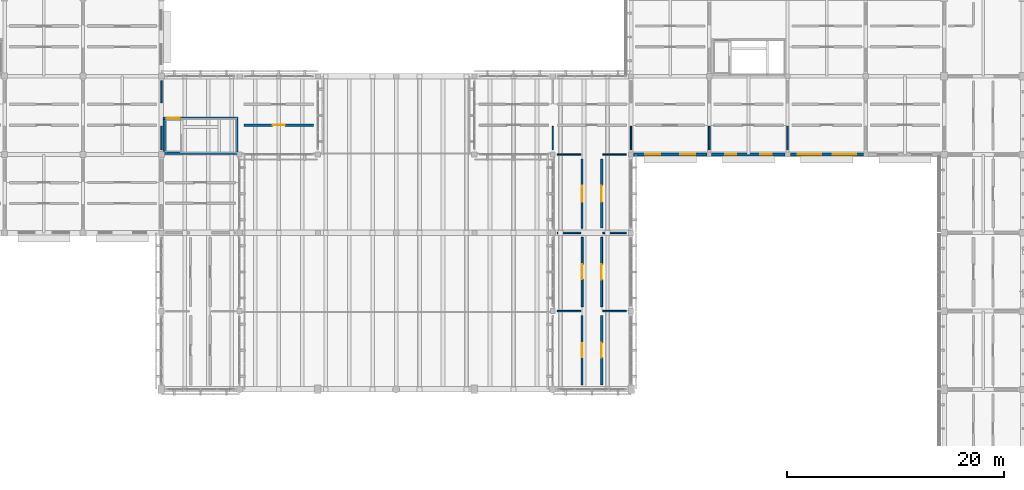
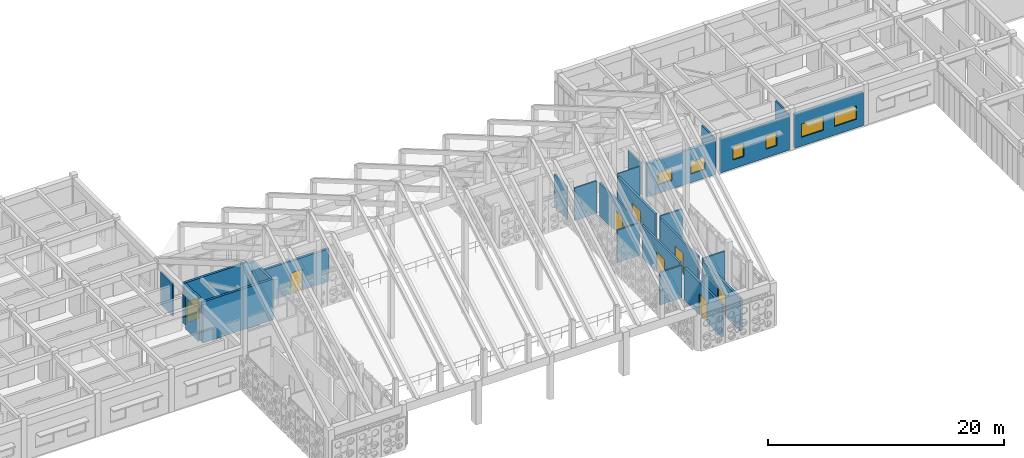
# One storey, part 130 of 171: 26 walls, 8 doors, 6 windows, 14 openings.
"""IFC4 building model written with IfcOpenShell, lengths in metres."""

from ifc_helpers import new_model, si_unit, direction, frame, frame_2d, origin, place, context, subcontext, project, spatial, rectangle, extrude, material, layer, layer_set, type_object, element, fill, save


model = new_model("IFC4")

# Units and contexts
model_context = context("Model", 3, precision=1e-05, world=origin(), true_north=direction((0.0, 1.0)))
body_context = subcontext(model_context, "Body", "Model", "MODEL_VIEW")
ifc_project = project(units=[si_unit("LENGTHUNIT", "METRE"), si_unit("AREAUNIT", "SQUARE_METRE"), si_unit("VOLUMEUNIT", "CUBIC_METRE"), si_unit("PLANEANGLEUNIT", "RADIAN"), si_unit("MASSUNIT", "GRAM", prefix="KILO")], contexts=[model_context])

# Site, building, storey
site_placement = place(None, origin())
site = spatial("IfcSite", under=ifc_project, at=site_placement, CompositionType="ELEMENT")
building_placement = place(site_placement, origin())
building = spatial("IfcBuilding", under=site, at=building_placement, Name="Aldebral Square Health Centre", CompositionType="ELEMENT")
storey_placement = place(building_placement, frame((0.0, 0.0, 4.5)))
storey = spatial("IfcBuildingStorey", under=building, at=storey_placement, Name="L01", CompositionType="ELEMENT", Elevation=4.5)

# Wall, openings, windows
ifc_material_1 = material(Name="Ochre mineral-rendered concrete C35/45 court wall", Category="concrete")
ifc_layer_1 = layer(ifc_material_1, 0.280029296875, Name="Ochre mineral-rendered concrete C35/45 court wall", Category="concrete")
ifc_layer_set_1 = layer_set([ifc_layer_1], Name="Ochre mineral-rendered concrete C35/45 court wall")
wall_type_1 = type_object("IfcWallType", Name="EW-OCH-280", PredefinedType="STANDARD", material=ifc_layer_set_1)
wall_1_placement = place(storey_placement, frame((108.25, 93.60009765625, 0.0), z_axis=(0.0, 0.0, 1.0), x_axis=(1.0, 0.0, 0.0)))
wall_1 = element("IfcWall", 1, at=wall_1_placement, inside=storey, type_object=wall_type_1, Name="L01 V5 exterior wall L01-V5-15-13-S", PredefinedType="STANDARD", context=body_context, shape_type="SweptSolid", body=[
    extrude(rectangle(XDim=6.72509765625, YDim=0.280029296875, at=frame_2d((3.362548828125, 0.0))), origin(), (0.0, 0.0, 1.0), 3.469970703125),
])
opening_1_placement = place(wall_1_placement, frame((1.074951171875, 0.0, 0.89990234375)))
opening_1 = element("IfcOpeningElement", 2, at=opening_1_placement, cuts=wall_1, Name="Opening W04", PredefinedType="OPENING", context=body_context, shape_type="SweptSolid", body=[
    extrude(rectangle(XDim=1.35009765625, YDim=1.25, at=frame_2d((0.675048828125, 0.625))), frame((0.0, 0.14990234375, 0.0), z_axis=(0.0, -1.0, 0.0), x_axis=(1.0, 0.0, 0.0)), (0.0, 0.0, 1.0), 0.300048828125),
])
opening_2_placement = place(wall_1_placement, frame((4.300048828125, 0.0, 0.89990234375)))
opening_2 = element("IfcOpeningElement", 3, at=opening_2_placement, cuts=wall_1, Name="Opening W04", PredefinedType="OPENING", context=body_context, shape_type="SweptSolid", body=[
    extrude(rectangle(XDim=1.35009765625, YDim=1.25, at=frame_2d((0.675048828125, 0.625))), frame((0.0, 0.14990234375, 0.0), z_axis=(0.0, -1.0, 0.0), x_axis=(1.0, 0.0, 0.0)), (0.0, 0.0, 1.0), 0.300048828125),
])
ifc_material_2 = material(Name="Thermally broken aluminium and low-E glass", Category="aluminium")
window_type_1 = type_object("IfcWindowType", Name="WIN-W04", PartitioningType="SINGLE_PANEL", PredefinedType="WINDOW", material=ifc_material_2)
window_1_placement = place(opening_1_placement, origin())
window_1 = element("IfcWindow", 4, at=window_1_placement, inside=storey, type_object=window_type_1, Name="L01 clinical window L01-V5-15-13-S.1", OverallHeight=1.25, OverallWidth=1.35009765625, PartitioningType="SINGLE_PANEL", PredefinedType="WINDOW", context=body_context, shape_type="SweptSolid", body=[
    extrude(rectangle(XDim=1.35009765625, YDim=1.25, at=frame_2d((0.675048828125, 0.625))), frame((0.0, 0.030029296875, 0.0), z_axis=(0.0, -1.0, 0.0), x_axis=(1.0, 0.0, 0.0)), (0.0, 0.0, 1.0), 0.06005859375),
])
fill(opening_1, window_1)
window_2_placement = place(opening_2_placement, origin())
window_2 = element("IfcWindow", 5, at=window_2_placement, inside=storey, type_object=window_type_1, Name="L01 clinical window L01-V5-15-13-S.2", OverallHeight=1.25, OverallWidth=1.35009765625, PartitioningType="SINGLE_PANEL", PredefinedType="WINDOW", context=body_context, shape_type="SweptSolid", body=[
    extrude(rectangle(XDim=1.35009765625, YDim=1.25, at=frame_2d((0.675048828125, 0.625))), frame((0.0, 0.030029296875, 0.0), z_axis=(0.0, -1.0, 0.0), x_axis=(1.0, 0.0, 0.0)), (0.0, 0.0, 1.0), 0.06005859375),
])
fill(opening_2, window_2)

wall_2_placement = place(storey_placement, frame((115.425048828125, 93.60009765625, 0.0), z_axis=(0.0, 0.0, 1.0), x_axis=(1.0, 0.0, 0.0)))
wall_2 = element("IfcWall", 6, at=wall_2_placement, inside=storey, type_object=wall_type_1, Name="L01 V5 exterior wall L01-V5-16-13-S", PredefinedType="STANDARD", context=body_context, shape_type="SweptSolid", body=[
    extrude(rectangle(XDim=6.724853515625, YDim=0.280029296875, at=frame_2d((3.3623046875, 0.0))), origin(), (0.0, 0.0, 1.0), 3.469970703125),
])
opening_3_placement = place(wall_2_placement, frame((1.22509765625, 0.0, 0.89990234375)))
opening_3 = element("IfcOpeningElement", 7, at=opening_3_placement, cuts=wall_2, Name="Opening W11", PredefinedType="OPENING", context=body_context, shape_type="SweptSolid", body=[
    extrude(rectangle(XDim=1.050048828125, YDim=1.3798828125, at=frame_2d((0.52490234375, 0.68994140625))), frame((0.0, 0.14990234375, 0.0), z_axis=(0.0, -1.0, 0.0), x_axis=(1.0, 0.0, 0.0)), (0.0, 0.0, 1.0), 0.300048828125),
])
opening_4_placement = place(wall_2_placement, frame((4.449951171875, 0.0, 0.89990234375)))
opening_4 = element("IfcOpeningElement", 8, at=opening_4_placement, cuts=wall_2, Name="Opening W11", PredefinedType="OPENING", context=body_context, shape_type="SweptSolid", body=[
    extrude(rectangle(XDim=1.050048828125, YDim=1.3798828125, at=frame_2d((0.52490234375, 0.68994140625))), frame((0.0, 0.14990234375, 0.0), z_axis=(0.0, -1.0, 0.0), x_axis=(1.0, 0.0, 0.0)), (0.0, 0.0, 1.0), 0.300048828125),
])
window_type_2 = type_object("IfcWindowType", Name="WIN-W11", PartitioningType="SINGLE_PANEL", PredefinedType="WINDOW", material=ifc_material_2)
window_3_placement = place(opening_3_placement, origin())
window_3 = element("IfcWindow", 9, at=window_3_placement, inside=storey, type_object=window_type_2, Name="L01 clinical window L01-V5-16-13-S.1", OverallHeight=1.3798828125, OverallWidth=1.050048828125, PartitioningType="SINGLE_PANEL", PredefinedType="WINDOW", context=body_context, shape_type="SweptSolid", body=[
    extrude(rectangle(XDim=1.050048828125, YDim=1.3798828125, at=frame_2d((0.52490234375, 0.68994140625))), frame((0.0, 0.030029296875, 0.0), z_axis=(0.0, -1.0, 0.0), x_axis=(1.0, 0.0, 0.0)), (0.0, 0.0, 1.0), 0.06005859375),
])
fill(opening_3, window_3)
window_4_placement = place(opening_4_placement, origin())
window_4 = element("IfcWindow", 10, at=window_4_placement, inside=storey, type_object=window_type_2, Name="L01 clinical window L01-V5-16-13-S.2", OverallHeight=1.3798828125, OverallWidth=1.050048828125, PartitioningType="SINGLE_PANEL", PredefinedType="WINDOW", context=body_context, shape_type="SweptSolid", body=[
    extrude(rectangle(XDim=1.050048828125, YDim=1.3798828125, at=frame_2d((0.52490234375, 0.68994140625))), frame((0.0, 0.030029296875, 0.0), z_axis=(0.0, -1.0, 0.0), x_axis=(1.0, 0.0, 0.0)), (0.0, 0.0, 1.0), 0.06005859375),
])
fill(opening_4, window_4)

wall_3_placement = place(storey_placement, frame((122.64990234375, 93.60009765625, 0.0), z_axis=(0.0, 0.0, 1.0), x_axis=(1.0, 0.0, 0.0)))
wall_3 = element("IfcWall", 11, at=wall_3_placement, inside=storey, type_object=wall_type_1, Name="L01 V5 exterior wall L01-V5-17-13-S", PredefinedType="STANDARD", context=body_context, shape_type="SweptSolid", body=[
    extrude(rectangle(XDim=6.72509765625, YDim=0.280029296875, at=frame_2d((3.362548828125, 0.0))), origin(), (0.0, 0.0, 1.0), 3.469970703125),
])
opening_5_placement = place(wall_3_placement, frame((0.675048828125, 0.0, 0.89990234375)))
opening_5 = element("IfcOpeningElement", 12, at=opening_5_placement, cuts=wall_3, Name="Opening W18", PredefinedType="OPENING", context=body_context, shape_type="SweptSolid", body=[
    extrude(rectangle(XDim=2.14990234375, YDim=1.3798828125, at=frame_2d((1.074951171875, 0.68994140625))), frame((0.0, 0.14990234375, 0.0), z_axis=(0.0, -1.0, 0.0), x_axis=(1.0, 0.0, 0.0)), (0.0, 0.0, 1.0), 0.300048828125),
])
opening_6_placement = place(wall_3_placement, frame((3.89990234375, 0.0, 0.89990234375)))
opening_6 = element("IfcOpeningElement", 13, at=opening_6_placement, cuts=wall_3, Name="Opening W18", PredefinedType="OPENING", context=body_context, shape_type="SweptSolid", body=[
    extrude(rectangle(XDim=2.14990234375, YDim=1.3798828125, at=frame_2d((1.074951171875, 0.68994140625))), frame((0.0, 0.14990234375, 0.0), z_axis=(0.0, -1.0, 0.0), x_axis=(1.0, 0.0, 0.0)), (0.0, 0.0, 1.0), 0.300048828125),
])
window_type_3 = type_object("IfcWindowType", Name="WIN-W18", PartitioningType="SINGLE_PANEL", PredefinedType="WINDOW", material=ifc_material_2)
window_5_placement = place(opening_5_placement, origin())
window_5 = element("IfcWindow", 14, at=window_5_placement, inside=storey, type_object=window_type_3, Name="L01 clinical window L01-V5-17-13-S.1", OverallHeight=1.3798828125, OverallWidth=2.14990234375, PartitioningType="SINGLE_PANEL", PredefinedType="WINDOW", context=body_context, shape_type="SweptSolid", body=[
    extrude(rectangle(XDim=2.14990234375, YDim=1.3798828125, at=frame_2d((1.074951171875, 0.68994140625))), frame((0.0, 0.030029296875, 0.0), z_axis=(0.0, -1.0, 0.0), x_axis=(1.0, 0.0, 0.0)), (0.0, 0.0, 1.0), 0.06005859375),
])
fill(opening_5, window_5)
window_6_placement = place(opening_6_placement, origin())
window_6 = element("IfcWindow", 15, at=window_6_placement, inside=storey, type_object=window_type_3, Name="L01 clinical window L01-V5-17-13-S.2", OverallHeight=1.3798828125, OverallWidth=2.14990234375, PartitioningType="SINGLE_PANEL", PredefinedType="WINDOW", context=body_context, shape_type="SweptSolid", body=[
    extrude(rectangle(XDim=2.14990234375, YDim=1.3798828125, at=frame_2d((1.074951171875, 0.68994140625))), frame((0.0, 0.030029296875, 0.0), z_axis=(0.0, -1.0, 0.0), x_axis=(1.0, 0.0, 0.0)), (0.0, 0.0, 1.0), 0.06005859375),
])
fill(opening_6, window_6)

# Wall, opening, door
ifc_material_3 = material(Name="Concrete C35/45 compartment wall", Category="concrete")
ifc_layer_2 = layer(ifc_material_3, 0.199951171875, Name="Concrete C35/45 compartment wall", Category="concrete")
ifc_layer_set_2 = layer_set([ifc_layer_2], Name="Concrete C35/45 compartment wall")
wall_type_2 = type_object("IfcWallType", Name="IW-CMP-200", PredefinedType="SOLIDWALL", material=ifc_layer_set_2)
wall_4_placement = place(storey_placement, frame((103.5, 72.419921875, 0.0), z_axis=(0.0, 0.0, 1.0), x_axis=(0.0, 1.0, 0.0)))
wall_4 = element("IfcWall", 16, at=wall_4_placement, inside=storey, type_object=wall_type_2, Name="L01 Outpatient Pharmacy Counseling 15.11W corridor wall", PredefinedType="SOLIDWALL", context=body_context, shape_type="SweptSolid", body=[
    extrude(rectangle(XDim=6.360107421875, YDim=0.199951171875, at=frame_2d((3.18017578125, 0.0))), origin(), (0.0, 0.0, 1.0), 3.360107421875),
])
opening_7_placement = place(wall_4_placement, frame((2.530029296875, 0.0, 0.0)))
opening_7 = element("IfcOpeningElement", 17, at=opening_7_placement, cuts=wall_4, Name="Opening D-0195", PredefinedType="OPENING", context=body_context, shape_type="SweptSolid", body=[
    extrude(rectangle(XDim=1.300048828125, YDim=2.139892578125, at=frame_2d((0.64990234375, 1.06982421875))), frame((0.0, 0.10986328125, 0.0), z_axis=(0.0, -1.0, 0.0), x_axis=(1.0, 0.0, 0.0)), (0.0, 0.0, 1.0), 0.219970703125),
])
ifc_material_4 = material(Name="Clinical suite fire door")
door_type_1 = type_object("IfcDoorType", Name="ID-EXD-42", OperationType="NOTDEFINED", PredefinedType="DOOR", material=ifc_material_4)
door_1_placement = place(opening_7_placement, origin())
door_1 = element("IfcDoor", 18, at=door_1_placement, inside=storey, type_object=door_type_1, Name="L01 Outpatient Pharmacy Counseling 15.11W door", OperationType="SINGLE_SWING_RIGHT", OverallHeight=2.139892578125, OverallWidth=1.300048828125, PredefinedType="DOOR", context=body_context, shape_type="SweptSolid", body=[
    extrude(rectangle(XDim=1.300048828125, YDim=2.139892578125, at=frame_2d((0.64990234375, 1.06982421875))), frame((0.0, 0.02490234375, 0.0), z_axis=(0.0, -1.0, 0.0), x_axis=(1.0, 0.0, 0.0)), (0.0, 0.0, 1.0), 0.050048828125),
])
fill(opening_7, door_1)

ifc_layer_3 = layer(ifc_material_3, 0.219970703125, Name="Concrete C35/45 compartment wall", Category="concrete")
ifc_layer_set_3 = layer_set([ifc_layer_3], Name="Concrete C35/45 compartment wall")
wall_type_3 = type_object("IfcWallType", Name="IW-CMP-220", PredefinedType="SOLIDWALL", material=ifc_layer_set_3)
wall_5_placement = place(storey_placement, frame((72.419921875, 96.300048828125, 0.0), z_axis=(0.0, 0.0, 1.0), x_axis=(1.0, 0.0, 0.0)))
wall_5 = element("IfcWall", 19, at=wall_5_placement, inside=storey, type_object=wall_type_3, Name="L01 Outpatient Pharmacy Counseling 11.14S corridor wall", PredefinedType="SOLIDWALL", context=body_context, shape_type="SweptSolid", body=[
    extrude(rectangle(XDim=6.360107421875, YDim=0.219970703125, at=frame_2d((3.18017578125, 0.0))), origin(), (0.0, 0.0, 1.0), 3.360107421875),
])
opening_8_placement = place(wall_5_placement, frame((2.610107421875, 0.0, 0.0)))
opening_8 = element("IfcOpeningElement", 20, at=opening_8_placement, cuts=wall_5, Name="Opening D-0191", PredefinedType="OPENING", context=body_context, shape_type="SweptSolid", body=[
    extrude(rectangle(XDim=1.139892578125, YDim=2.139892578125, at=frame_2d((0.56982421875, 1.06982421875))), frame((0.0, 0.1201171875, 0.0), z_axis=(0.0, -1.0, 0.0), x_axis=(1.0, 0.0, 0.0)), (0.0, 0.0, 1.0), 0.239990234375),
])
door_type_2 = type_object("IfcDoorType", Name="ID-EXD-38", OperationType="NOTDEFINED", PredefinedType="DOOR", material=ifc_material_4)
door_2_placement = place(opening_8_placement, origin())
door_2 = element("IfcDoor", 21, at=door_2_placement, inside=storey, type_object=door_type_2, Name="L01 Outpatient Pharmacy Counseling 11.14S door", OperationType="SINGLE_SWING_RIGHT", OverallHeight=2.139892578125, OverallWidth=1.139892578125, PredefinedType="DOOR", context=body_context, shape_type="SweptSolid", body=[
    extrude(rectangle(XDim=1.139892578125, YDim=2.139892578125, at=frame_2d((0.56982421875, 1.06982421875))), frame((0.0, 0.02490234375, 0.0), z_axis=(0.0, -1.0, 0.0), x_axis=(1.0, 0.0, 0.0)), (0.0, 0.0, 1.0), 0.050048828125),
])
fill(opening_8, door_2)

ifc_material_5 = material(Name="Fire-rated acoustic gypsum partition")
ifc_layer_4 = layer(ifc_material_5, 0.1650390625, Name="Fire-rated acoustic gypsum partition")
ifc_layer_set_4 = layer_set([ifc_layer_4], Name="Fire-rated acoustic gypsum partition")
wall_type_4 = type_object("IfcWallType", Name="IW-COR-165", PredefinedType="PARTITIONING", material=ifc_layer_set_4)
wall_6_placement = place(storey_placement, frame((103.5, 86.820068359375, 0.0), z_axis=(0.0, 0.0, 1.0), x_axis=(0.0, 1.0, 0.0)))
wall_6 = element("IfcWall", 22, at=wall_6_placement, inside=storey, type_object=wall_type_4, Name="L01 Outpatient Pharmacy Counseling 15.13W corridor wall", PredefinedType="PARTITIONING", context=body_context, shape_type="SweptSolid", body=[
    extrude(rectangle(XDim=6.35986328125, YDim=0.1650390625, at=frame_2d((3.179931640625, 0.0))), origin(), (0.0, 0.0, 1.0), 3.360107421875),
])
opening_9_placement = place(wall_6_placement, frame((2.449951171875, 0.0, 0.0)))
opening_9 = element("IfcOpeningElement", 23, at=opening_9_placement, cuts=wall_6, Name="Opening D-0199", PredefinedType="OPENING", context=body_context, shape_type="SweptSolid", body=[
    extrude(rectangle(XDim=1.4599609375, YDim=2.139892578125, at=frame_2d((0.72998046875, 1.06982421875))), frame((0.0, 0.092529296875, 0.0), z_axis=(0.0, -1.0, 0.0), x_axis=(1.0, 0.0, 0.0)), (0.0, 0.0, 1.0), 0.18505859375),
])
door_type_3 = type_object("IfcDoorType", Name="ID-EXD-46", OperationType="NOTDEFINED", PredefinedType="DOOR", material=ifc_material_4)
door_3_placement = place(opening_9_placement, origin())
door_3 = element("IfcDoor", 24, at=door_3_placement, inside=storey, type_object=door_type_3, Name="L01 Outpatient Pharmacy Counseling 15.13W door", OperationType="SINGLE_SWING_RIGHT", OverallHeight=2.139892578125, OverallWidth=1.4599609375, PredefinedType="DOOR", context=body_context, shape_type="SweptSolid", body=[
    extrude(rectangle(XDim=1.4599609375, YDim=2.139892578125, at=frame_2d((0.72998046875, 1.06982421875))), frame((0.0, 0.02490234375, 0.0), z_axis=(0.0, -1.0, 0.0), x_axis=(1.0, 0.0, 0.0)), (0.0, 0.0, 1.0), 0.050048828125),
])
fill(opening_9, door_3)

ifc_layer_5 = layer(ifc_material_5, 0.179931640625, Name="Fire-rated acoustic gypsum partition")
ifc_layer_set_5 = layer_set([ifc_layer_5], Name="Fire-rated acoustic gypsum partition")
wall_type_5 = type_object("IfcWallType", Name="IW-COR-180", PredefinedType="PARTITIONING", material=ifc_layer_set_5)
wall_7_placement = place(storey_placement, frame((103.5, 79.6201171875, 0.0), z_axis=(0.0, 0.0, 1.0), x_axis=(0.0, 1.0, 0.0)))
wall_7 = element("IfcWall", 25, at=wall_7_placement, inside=storey, type_object=wall_type_5, Name="L01 Waiting Gallery 15.12W corridor wall", PredefinedType="PARTITIONING", context=body_context, shape_type="SweptSolid", body=[
    extrude(rectangle(XDim=6.35986328125, YDim=0.179931640625, at=frame_2d((3.179931640625, 0.0))), origin(), (0.0, 0.0, 1.0), 3.360107421875),
])
opening_10_placement = place(wall_7_placement, frame((2.489990234375, 0.0, 0.0)))
opening_10 = element("IfcOpeningElement", 26, at=opening_10_placement, cuts=wall_7, Name="Opening D-0197", PredefinedType="OPENING", context=body_context, shape_type="SweptSolid", body=[
    extrude(rectangle(XDim=1.3798828125, YDim=2.139892578125, at=frame_2d((0.68994140625, 1.06982421875))), frame((0.0, 0.10009765625, 0.0), z_axis=(0.0, -1.0, 0.0), x_axis=(1.0, 0.0, 0.0)), (0.0, 0.0, 1.0), 0.199951171875),
])
door_type_4 = type_object("IfcDoorType", Name="ID-EXD-44", OperationType="NOTDEFINED", PredefinedType="DOOR", material=ifc_material_4)
door_4_placement = place(opening_10_placement, origin())
door_4 = element("IfcDoor", 27, at=door_4_placement, inside=storey, type_object=door_type_4, Name="L01 Waiting Gallery 15.12W door", OperationType="SINGLE_SWING_RIGHT", OverallHeight=2.139892578125, OverallWidth=1.3798828125, PredefinedType="DOOR", context=body_context, shape_type="SweptSolid", body=[
    extrude(rectangle(XDim=1.3798828125, YDim=2.139892578125, at=frame_2d((0.68994140625, 1.06982421875))), frame((0.0, 0.02490234375, 0.0), z_axis=(0.0, -1.0, 0.0), x_axis=(1.0, 0.0, 0.0)), (0.0, 0.0, 1.0), 0.050048828125),
])
fill(opening_10, door_4)

wall_8_placement = place(storey_placement, frame((105.300048828125, 79.6201171875, 0.0), z_axis=(0.0, 0.0, 1.0), x_axis=(0.0, 1.0, 0.0)))
wall_8 = element("IfcWall", 28, at=wall_8_placement, inside=storey, type_object=wall_type_5, Name="L01 Patient Information Desk 15.12E corridor wall", PredefinedType="PARTITIONING", context=body_context, shape_type="SweptSolid", body=[
    extrude(rectangle(XDim=6.35986328125, YDim=0.179931640625, at=frame_2d((3.179931640625, 0.0))), origin(), (0.0, 0.0, 1.0), 3.360107421875),
])
opening_11_placement = place(wall_8_placement, frame((2.469970703125, 0.0, 0.0)))
opening_11 = element("IfcOpeningElement", 29, at=opening_11_placement, cuts=wall_8, Name="Opening D-0198", PredefinedType="OPENING", context=body_context, shape_type="SweptSolid", body=[
    extrude(rectangle(XDim=1.419921875, YDim=2.139892578125, at=frame_2d((0.7099609375, 1.06982421875))), frame((0.0, 0.10009765625, 0.0), z_axis=(0.0, -1.0, 0.0), x_axis=(1.0, 0.0, 0.0)), (0.0, 0.0, 1.0), 0.199951171875),
])
door_type_5 = type_object("IfcDoorType", Name="ID-EXD-45", OperationType="NOTDEFINED", PredefinedType="DOOR", material=ifc_material_4)
door_5_placement = place(opening_11_placement, origin())
door_5 = element("IfcDoor", 30, at=door_5_placement, inside=storey, type_object=door_type_5, Name="L01 Patient Information Desk 15.12E door", OperationType="SINGLE_SWING_LEFT", OverallHeight=2.139892578125, OverallWidth=1.419921875, PredefinedType="DOOR", context=body_context, shape_type="SweptSolid", body=[
    extrude(rectangle(XDim=1.419921875, YDim=2.139892578125, at=frame_2d((0.7099609375, 1.06982421875))), frame((0.0, 0.02490234375, 0.0), z_axis=(0.0, -1.0, 0.0), x_axis=(1.0, 0.0, 0.0)), (0.0, 0.0, 1.0), 0.050048828125),
])
fill(opening_11, door_5)

# Wall
ifc_material_6 = material(Name="Concrete C40/50", Category="concrete")
ifc_layer_6 = layer(ifc_material_6, 0.219970703125, Name="Concrete C40/50", Category="concrete")
ifc_layer_set_6 = layer_set([ifc_layer_6], Name="Concrete C40/50")
wall_type_6 = type_object("IfcWallType", Name="IW-CORE-280", PredefinedType="SHEAR", material=ifc_layer_set_6)
wall_9_placement = place(storey_placement, frame((64.9599609375, 93.72998046875, 0.0), z_axis=(0.0, 0.0, 1.0), x_axis=(1.0, 0.0, 0.0)))
element("IfcWall", 31, at=wall_9_placement, inside=storey, type_object=wall_type_6, Name="L01 WS-S7 shaft wall S", PredefinedType="SHEAR", context=body_context, shape_type="SweptSolid", body=[
    extrude(rectangle(XDim=6.880126953125, YDim=0.219970703125, at=frame_2d((3.43994140625, 0.0))), origin(), (0.0, 0.0, 1.0), 4.219970703125),
])

# Wall, opening, door
wall_10_placement = place(storey_placement, frame((64.9599609375, 96.949951171875, 0.0), z_axis=(0.0, 0.0, 1.0), x_axis=(1.0, 0.0, 0.0)))
wall_10 = element("IfcWall", 32, at=wall_10_placement, inside=storey, type_object=wall_type_6, Name="L01 WS-S7 shaft wall N", PredefinedType="SHEAR", context=body_context, shape_type="SweptSolid", body=[
    extrude(rectangle(XDim=6.880126953125, YDim=0.219970703125, at=frame_2d((3.43994140625, 0.0))), origin(), (0.0, 0.0, 1.0), 4.219970703125),
])
opening_12_placement = place(wall_10_placement, frame((0.35009765625, 0.0, 0.0)))
opening_12 = element("IfcOpeningElement", 33, at=opening_12_placement, cuts=wall_10, Name="Opening D-0069", PredefinedType="OPENING", context=body_context, shape_type="SweptSolid", body=[
    extrude(rectangle(XDim=1.199951171875, YDim=2.14990234375, at=frame_2d((0.60009765625, 1.074951171875))), frame((0.0, 0.1201171875, 0.0), z_axis=(0.0, -1.0, 0.0), x_axis=(1.0, 0.0, 0.0)), (0.0, 0.0, 1.0), 0.239990234375),
])
ifc_material_7 = material(Name="Fire-rated steel stair door", Category="steel")
door_type_6 = type_object("IfcDoorType", Name="ID-ST-120", OperationType="NOTDEFINED", PredefinedType="DOOR", material=ifc_material_7)
door_6_placement = place(opening_12_placement, origin())
door_6 = element("IfcDoor", 34, at=door_6_placement, inside=storey, type_object=door_type_6, Name="L01 ST-07 fire door", OperationType="SINGLE_SWING_LEFT", OverallHeight=2.14990234375, OverallWidth=1.199951171875, PredefinedType="DOOR", context=body_context, shape_type="SweptSolid", body=[
    extrude(rectangle(XDim=1.199951171875, YDim=2.14990234375, at=frame_2d((0.60009765625, 1.074951171875))), frame((0.0, 0.02490234375, 0.0), z_axis=(0.0, -1.0, 0.0), x_axis=(1.0, 0.0, 0.0)), (0.0, 0.0, 1.0), 0.050048828125),
])
fill(opening_12, door_6)

# Walls
for number, where, z_axis, x_axis, name in (
    (35, (65.070068359375, 93.840087890625, 0.0), (0.0, 0.0, 1.0), (0.0, 1.0, 0.0), "L01 WS-S7 shaft wall W"),
    (36, (71.72998046875, 93.840087890625, 0.0), (0.0, 0.0, 1.0), (0.0, 1.0, 0.0), "L01 WS-S7 shaft wall E"),
):
    element("IfcWall", number, at=place(storey_placement, frame(where, z_axis=z_axis, x_axis=x_axis)), inside=storey, type_object=wall_type_6, Name=name, PredefinedType="SHEAR", context=body_context, shape_type="SweptSolid", body=[
        extrude(rectangle(XDim=3.0, YDim=0.219970703125, at=frame_2d((1.5, 0.0))), origin(), (0.0, 0.0, 1.0), 4.219970703125),
    ])

# Wall, opening, door
ifc_material_8 = material(Name="Moisture-resistant sanitary chase wall")
ifc_layer_7 = layer(ifc_material_8, 0.2099609375, Name="Moisture-resistant sanitary chase wall")
ifc_layer_set_7 = layer_set([ifc_layer_7], Name="Moisture-resistant sanitary chase wall")
wall_type_7 = type_object("IfcWallType", Name="IW-PLB-210", PredefinedType="PLUMBINGWALL", material=ifc_layer_set_7)
wall_11_placement = place(storey_placement, frame((105.300048828125, 72.419921875, 0.0), z_axis=(0.0, 0.0, 1.0), x_axis=(0.0, 1.0, 0.0)))
wall_11 = element("IfcWall", 37, at=wall_11_placement, inside=storey, type_object=wall_type_7, Name="L01 Accessible WC 15.11E corridor wall", PredefinedType="PLUMBINGWALL", context=body_context, shape_type="SweptSolid", body=[
    extrude(rectangle(XDim=6.360107421875, YDim=0.2099609375, at=frame_2d((3.18017578125, 0.0))), origin(), (0.0, 0.0, 1.0), 3.360107421875),
])
opening_13_placement = place(wall_11_placement, frame((2.510009765625, 0.0, 0.0)))
opening_13 = element("IfcOpeningElement", 38, at=opening_13_placement, cuts=wall_11, Name="Opening D-0196", PredefinedType="OPENING", context=body_context, shape_type="SweptSolid", body=[
    extrude(rectangle(XDim=1.340087890625, YDim=2.139892578125, at=frame_2d((0.669921875, 1.06982421875))), frame((0.0, 0.114990234375, 0.0), z_axis=(0.0, -1.0, 0.0), x_axis=(1.0, 0.0, 0.0)), (0.0, 0.0, 1.0), 0.22998046875),
])
door_type_7 = type_object("IfcDoorType", Name="ID-EXD-43", OperationType="NOTDEFINED", PredefinedType="DOOR", material=ifc_material_4)
door_7_placement = place(opening_13_placement, origin())
door_7 = element("IfcDoor", 39, at=door_7_placement, inside=storey, type_object=door_type_7, Name="L01 Accessible WC 15.11E door", OperationType="SINGLE_SWING_LEFT", OverallHeight=2.139892578125, OverallWidth=1.340087890625, PredefinedType="DOOR", context=body_context, shape_type="SweptSolid", body=[
    extrude(rectangle(XDim=1.340087890625, YDim=2.139892578125, at=frame_2d((0.669921875, 1.06982421875))), frame((0.0, 0.02490234375, 0.0), z_axis=(0.0, -1.0, 0.0), x_axis=(1.0, 0.0, 0.0)), (0.0, 0.0, 1.0), 0.050048828125),
])
fill(opening_13, door_7)

wall_12_placement = place(storey_placement, frame((105.300048828125, 86.820068359375, 0.0), z_axis=(0.0, 0.0, 1.0), x_axis=(0.0, 1.0, 0.0)))
wall_12 = element("IfcWall", 40, at=wall_12_placement, inside=storey, type_object=wall_type_7, Name="L01 Accessible WC 15.13E corridor wall", PredefinedType="PLUMBINGWALL", context=body_context, shape_type="SweptSolid", body=[
    extrude(rectangle(XDim=6.35986328125, YDim=0.2099609375, at=frame_2d((3.179931640625, 0.0))), origin(), (0.0, 0.0, 1.0), 3.360107421875),
])
opening_14_placement = place(wall_12_placement, frame((2.429931640625, 0.0, 0.0)))
opening_14 = element("IfcOpeningElement", 41, at=opening_14_placement, cuts=wall_12, Name="Opening D-0200", PredefinedType="OPENING", context=body_context, shape_type="SweptSolid", body=[
    extrude(rectangle(XDim=1.5, YDim=2.139892578125, at=frame_2d((0.75, 1.06982421875))), frame((0.0, 0.114990234375, 0.0), z_axis=(0.0, -1.0, 0.0), x_axis=(1.0, 0.0, 0.0)), (0.0, 0.0, 1.0), 0.22998046875),
])
door_type_8 = type_object("IfcDoorType", Name="ID-EXD-47", OperationType="NOTDEFINED", PredefinedType="DOOR", material=ifc_material_4)
door_8_placement = place(opening_14_placement, origin())
door_8 = element("IfcDoor", 42, at=door_8_placement, inside=storey, type_object=door_type_8, Name="L01 Accessible WC 15.13E door", OperationType="SINGLE_SWING_LEFT", OverallHeight=2.139892578125, OverallWidth=1.5, PredefinedType="DOOR", context=body_context, shape_type="SweptSolid", body=[
    extrude(rectangle(XDim=1.5, YDim=2.139892578125, at=frame_2d((0.75, 1.06982421875))), frame((0.0, 0.02490234375, 0.0), z_axis=(0.0, -1.0, 0.0), x_axis=(1.0, 0.0, 0.0)), (0.0, 0.0, 1.0), 0.050048828125),
])
fill(opening_14, door_8)

# Walls
ifc_material_9 = material(Name="Lightweight clinical partition")
ifc_layer_8 = layer(ifc_material_9, 0.10498046875, Name="Lightweight clinical partition")
ifc_layer_set_8 = layer_set([ifc_layer_8], Name="Lightweight clinical partition")
wall_type_8 = type_object("IfcWallType", Name="IW-PRT-105", PredefinedType="PARTITIONING", material=ifc_layer_set_8)
wall_13_placement = place(storey_placement, frame((108.0, 94.02001953125, 0.0), z_axis=(0.0, 0.0, 1.0), x_axis=(0.0, 1.0, 0.0)))
element("IfcWall", 43, at=wall_13_placement, inside=storey, type_object=wall_type_8, Name="L01 Waiting Gallery 15.14S demising partition", PredefinedType="PARTITIONING", context=body_context, shape_type="SweptSolid", body=[
    extrude(rectangle(XDim=2.159912109375, YDim=0.10498046875, at=frame_2d((1.080078125, 0.0))), origin(), (0.0, 0.0, 1.0), 3.360107421875),
])
ifc_material_10 = material(Name="Acoustic clinical gypsum partition")
ifc_layer_9 = layer(ifc_material_10, 0.1201171875, Name="Acoustic clinical gypsum partition")
ifc_layer_set_9 = layer_set([ifc_layer_9], Name="Acoustic clinical gypsum partition")
wall_type_9 = type_object("IfcWallType", Name="IW-PRT-120", PredefinedType="PARTITIONING", material=ifc_layer_set_9)
for number, where, z_axis, x_axis, name in (
    (44, (100.800048828125, 94.02001953125, 0.0), (0.0, 0.0, 1.0), (0.0, 1.0, 0.0), "L01 Waiting Gallery 14.14S demising partition"),
    (45, (101.219970703125, 93.60009765625, 0.0), (0.0, 0.0, 1.0), (1.0, 0.0, 0.0), "L01 Outpatient Pharmacy Counseling 15.13W demising partition"),
):
    element("IfcWall", number, at=place(storey_placement, frame(where, z_axis=z_axis, x_axis=x_axis)), inside=storey, type_object=wall_type_9, Name=name, PredefinedType="PARTITIONING", context=body_context, shape_type="SweptSolid", body=[
        extrude(rectangle(XDim=2.159912109375, YDim=0.1201171875, at=frame_2d((1.080078125, 0.0))), origin(), (0.0, 0.0, 1.0), 3.360107421875),
    ])
wall_14_placement = place(storey_placement, frame((105.419921875, 93.60009765625, 0.0), z_axis=(0.0, 0.0, 1.0), x_axis=(1.0, 0.0, 0.0)))
element("IfcWall", 46, at=wall_14_placement, inside=storey, type_object=wall_type_9, Name="L01 Accessible WC 15.13E demising partition", PredefinedType="PARTITIONING", context=body_context, shape_type="SweptSolid", body=[
    extrude(rectangle(XDim=2.16015625, YDim=0.1201171875, at=frame_2d((1.080078125, 0.0))), origin(), (0.0, 0.0, 1.0), 3.360107421875),
])
ifc_layer_10 = layer(ifc_material_10, 0.135009765625, Name="Acoustic clinical gypsum partition")
ifc_layer_set_10 = layer_set([ifc_layer_10], Name="Acoustic clinical gypsum partition")
wall_type_10 = type_object("IfcWallType", Name="IW-PRT-135", PredefinedType="PARTITIONING", material=ifc_layer_set_10)
wall_15_placement = place(storey_placement, frame((101.219970703125, 86.39990234375, 0.0), z_axis=(0.0, 0.0, 1.0), x_axis=(1.0, 0.0, 0.0)))
element("IfcWall", 47, at=wall_15_placement, inside=storey, type_object=wall_type_10, Name="L01 Waiting Gallery 15.12W demising partition", PredefinedType="PARTITIONING", context=body_context, shape_type="SweptSolid", body=[
    extrude(rectangle(XDim=2.159912109375, YDim=0.135009765625, at=frame_2d((1.080078125, 0.0))), origin(), (0.0, 0.0, 1.0), 3.360107421875),
])
wall_16_placement = place(storey_placement, frame((105.419921875, 86.39990234375, 0.0), z_axis=(0.0, 0.0, 1.0), x_axis=(1.0, 0.0, 0.0)))
element("IfcWall", 48, at=wall_16_placement, inside=storey, type_object=wall_type_10, Name="L01 Patient Information Desk 15.12E demising partition", PredefinedType="PARTITIONING", context=body_context, shape_type="SweptSolid", body=[
    extrude(rectangle(XDim=2.16015625, YDim=0.135009765625, at=frame_2d((1.080078125, 0.0))), origin(), (0.0, 0.0, 1.0), 3.360107421875),
])
wall_17_placement = place(storey_placement, frame((64.800048828125, 94.02001953125, 0.0), z_axis=(0.0, 0.0, 1.0), x_axis=(0.0, 1.0, 0.0)))
element("IfcWall", 49, at=wall_17_placement, inside=storey, type_object=wall_type_10, Name="L01 Diagnostic Imaging CT Suite 9.14S demising partition", PredefinedType="PARTITIONING", context=body_context, shape_type="SweptSolid", body=[
    extrude(rectangle(XDim=2.159912109375, YDim=0.135009765625, at=frame_2d((1.080078125, 0.0))), origin(), (0.0, 0.0, 1.0), 3.360107421875),
])
wall_18_placement = place(storey_placement, frame((64.800048828125, 98.340087890625, 0.0), z_axis=(0.0, 0.0, 1.0), x_axis=(0.0, 1.0, 0.0)))
element("IfcWall", 50, at=wall_18_placement, inside=storey, type_object=wall_type_10, Name="L01 CT Control and Shielded Monitoring 9.14N demising partition", PredefinedType="PARTITIONING", context=body_context, shape_type="SweptSolid", body=[
    extrude(rectangle(XDim=2.039794921875, YDim=0.135009765625, at=frame_2d((1.02001953125, 0.0))), origin(), (0.0, 0.0, 1.0), 3.360107421875),
])
wall_19_placement = place(storey_placement, frame((122.39990234375, 94.02001953125, 0.0), z_axis=(0.0, 0.0, 1.0), x_axis=(0.0, 1.0, 0.0)))
element("IfcWall", 51, at=wall_19_placement, inside=storey, type_object=wall_type_10, Name="L01 Clean Supply Store 17.14S demising partition", PredefinedType="PARTITIONING", context=body_context, shape_type="SweptSolid", body=[
    extrude(rectangle(XDim=2.159912109375, YDim=0.135009765625, at=frame_2d((1.080078125, 0.0))), origin(), (0.0, 0.0, 1.0), 3.360107421875),
])
ifc_layer_11 = layer(ifc_material_10, 0.14990234375, Name="Acoustic clinical gypsum partition")
ifc_layer_set_11 = layer_set([ifc_layer_11], Name="Acoustic clinical gypsum partition")
wall_type_11 = type_object("IfcWallType", Name="IW-PRT-150", PredefinedType="PARTITIONING", material=ifc_layer_set_11)
wall_20_placement = place(storey_placement, frame((101.219970703125, 79.199951171875, 0.0), z_axis=(0.0, 0.0, 1.0), x_axis=(1.0, 0.0, 0.0)))
element("IfcWall", 52, at=wall_20_placement, inside=storey, type_object=wall_type_11, Name="L01 Outpatient Pharmacy Counseling 15.11W demising partition", PredefinedType="PARTITIONING", context=body_context, shape_type="SweptSolid", body=[
    extrude(rectangle(XDim=2.159912109375, YDim=0.14990234375, at=frame_2d((1.080078125, 0.0))), origin(), (0.0, 0.0, 1.0), 3.360107421875),
])
wall_21_placement = place(storey_placement, frame((105.419921875, 79.199951171875, 0.0), z_axis=(0.0, 0.0, 1.0), x_axis=(1.0, 0.0, 0.0)))
element("IfcWall", 53, at=wall_21_placement, inside=storey, type_object=wall_type_11, Name="L01 Accessible WC 15.11E demising partition", PredefinedType="PARTITIONING", context=body_context, shape_type="SweptSolid", body=[
    extrude(rectangle(XDim=2.16015625, YDim=0.14990234375, at=frame_2d((1.080078125, 0.0))), origin(), (0.0, 0.0, 1.0), 3.360107421875),
])
wall_22_placement = place(storey_placement, frame((115.199951171875, 94.02001953125, 0.0), z_axis=(0.0, 0.0, 1.0), x_axis=(0.0, 1.0, 0.0)))
element("IfcWall", 54, at=wall_22_placement, inside=storey, type_object=wall_type_11, Name="L01 Endoscopy Diagnostic Suite 16.14S demising partition", PredefinedType="PARTITIONING", context=body_context, shape_type="SweptSolid", body=[
    extrude(rectangle(XDim=2.159912109375, YDim=0.14990234375, at=frame_2d((1.080078125, 0.0))), origin(), (0.0, 0.0, 1.0), 3.360107421875),
])

save(model, "model.ifc")
